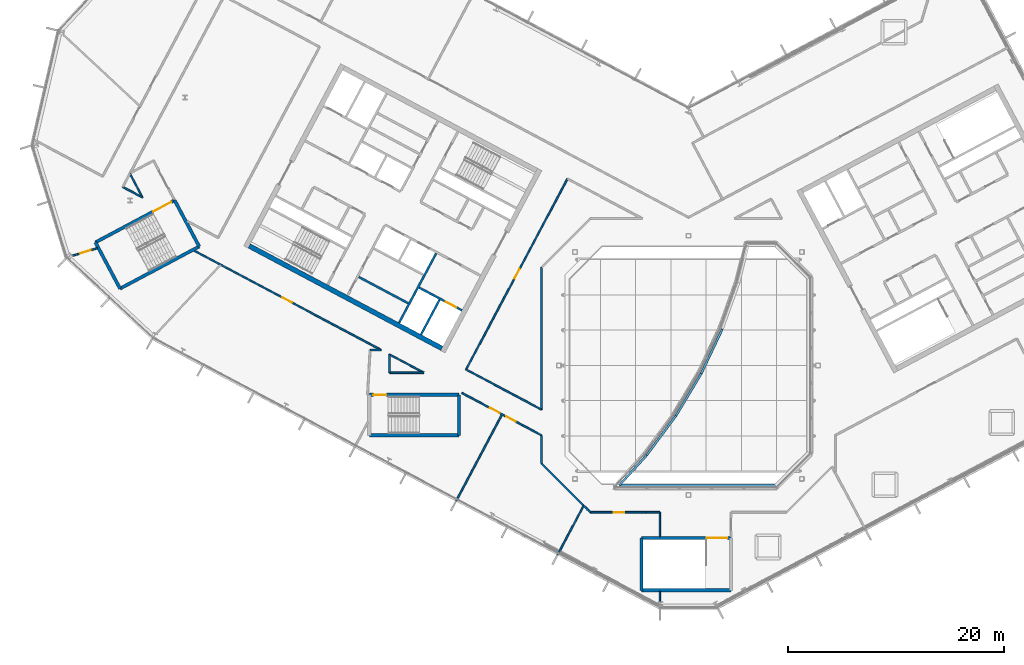
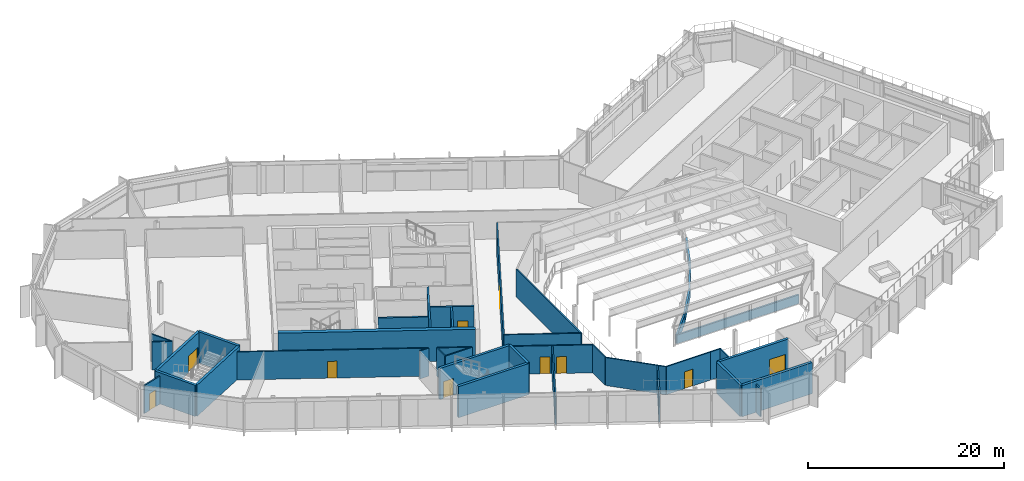
# One storey, part 23 of 35: 41 walls, 10 doors, 10 openings.
"""IFC4 building model written with IfcOpenShell, lengths in metres."""

from ifc_helpers import new_model, si_unit, direction, frame, frame_2d, origin, place, context, subcontext, project, spatial, rectangle, extrude, material, layer, layer_set, type_object, element, fill, save


model = new_model("IFC4")

# Units and contexts
model_context = context("Model", 3, precision=1e-05, world=origin(), true_north=direction((0.0, 1.0)))
body_context = subcontext(model_context, "Body", "Model", "MODEL_VIEW")
ifc_project = project(units=[si_unit("LENGTHUNIT", "METRE"), si_unit("AREAUNIT", "SQUARE_METRE"), si_unit("VOLUMEUNIT", "CUBIC_METRE"), si_unit("PLANEANGLEUNIT", "RADIAN"), si_unit("MASSUNIT", "GRAM", prefix="KILO")], contexts=[model_context])

# Site, building, storey
site_placement = place(None, origin())
site = spatial("IfcSite", under=ifc_project, at=site_placement, CompositionType="ELEMENT")
building_placement = place(site_placement, origin())
building = spatial("IfcBuilding", under=site, at=building_placement, Name="Cormorant Relay Tower", CompositionType="ELEMENT")
storey_placement = place(building_placement, frame((0.0, 0.0, 324.300048828125)))
storey = spatial("IfcBuildingStorey", under=building, at=storey_placement, Name="L74", CompositionType="ELEMENT", Elevation=324.300048828125)

# Walls
ifc_material_1 = material(Name="Concrete 40 MPa", Category="concrete")
ifc_layer_1 = layer(ifc_material_1, 0.199951171875)
ifc_layer_set_1 = layer_set([ifc_layer_1], Name="Core internal wall 200")
wall_type_1 = type_object("IfcWallType", Name="Core internal wall 200", PredefinedType="SOLIDWALL", material=ifc_layer_set_1)
wall_1_placement = place(storey_placement, frame((-25.936767578125, 5.74951171875, 0.0), z_axis=(0.0, 0.0, 1.0), x_axis=(-0.882934506056, 0.469496174655, 0.0)))
element("IfcWall", 1, at=wall_1_placement, inside=storey, type_object=wall_type_1, Name="L74 core A shaft and room wall", PredefinedType="SOLIDWALL", context=body_context, shape_type="SweptSolid", body=[
    extrude(rectangle(XDim=5.199951171875, YDim=0.199951171875, at=frame_2d((2.60009765625, 0.0))), origin(), (0.0, 0.0, 1.0), 3.89990234375),
])
ifc_material_2 = material(Name="Concrete 50 MPa", Category="concrete")
ifc_layer_2 = layer(ifc_material_2, 0.199951171875)
ifc_layer_set_2 = layer_set([ifc_layer_2], Name="Core shaft wall 200")
wall_type_2 = type_object("IfcWallType", Name="Core shaft wall 200", PredefinedType="SHEAR", material=ifc_layer_set_2)
wall_2_placement = place(storey_placement, frame((-23.04296875, 6.07958984375, 0.0), z_axis=(0.0, 0.0, 1.0), x_axis=(-0.469494272526, -0.882935517501, 0.0)))
element("IfcWall", 2, at=wall_2_placement, inside=storey, type_object=wall_type_2, Name="L74 core A shaft wall", PredefinedType="SHEAR", context=body_context, shape_type="SweptSolid", body=[
    extrude(rectangle(XDim=3.64990234375, YDim=0.199951171875, at=frame_2d((1.824951171875, 0.0))), origin(), (0.0, 0.0, 1.0), 3.89990234375),
])
wall_3_placement = place(storey_placement, frame((-23.360107421875, 10.38232421875, 0.0), z_axis=(0.0, 0.0, 1.0), x_axis=(-0.469480409012, -0.88294288918, 0.0)))
element("IfcWall", 3, at=wall_3_placement, inside=storey, type_object=wall_type_2, Name="L74 core A shaft wall", PredefinedType="SHEAR", context=body_context, shape_type="SweptSolid", body=[
    extrude(rectangle(XDim=7.300048828125, YDim=0.199951171875, at=frame_2d((3.64990234375, 0.0))), origin(), (0.0, 0.0, 1.0), 3.89990234375),
])

# Wall, opening, door
wall_4_placement = place(storey_placement, frame((-20.96533203125, 5.088134765625, 0.0), z_axis=(0.0, 0.0, 1.0), x_axis=(-0.882925986334, 0.469512196493, 0.0)))
wall_4 = element("IfcWall", 4, at=wall_4_placement, inside=storey, type_object=wall_type_2, Name="L74 core A shaft wall", PredefinedType="SHEAR", context=body_context, shape_type="SweptSolid", body=[
    extrude(rectangle(XDim=4.5, YDim=0.199951171875, at=frame_2d((2.25, 0.0))), origin(), (0.0, 0.0, 1.0), 3.89990234375),
])
opening_1_placement = place(wall_4_placement, frame((0.60009765625, 0.0, 0.0)))
opening_1 = element("IfcOpeningElement", 5, at=opening_1_placement, cuts=wall_4, Name="Opening LD1-063", PredefinedType="OPENING", context=body_context, shape_type="SweptSolid", body=[
    extrude(rectangle(XDim=1.10009765625, YDim=2.10009765625, at=frame_2d((0.550048828125, 1.050048828125))), frame((0.0, 0.10986328125, 0.0), z_axis=(0.0, -1.0, 0.0), x_axis=(1.0, 0.0, 0.0)), (0.0, 0.0, 1.0), 0.219970703125),
])
ifc_material_3 = material(Name="Stainless steel 316", Category="steel")
door_type_1 = type_object("IfcDoorType", Name="Lift landing door 1100x2100", OperationType="DOUBLE_DOOR_SLIDING", PredefinedType="DOOR", material=ifc_material_3)
door_1_placement = place(opening_1_placement, origin())
door_1 = element("IfcDoor", 6, at=door_1_placement, inside=storey, type_object=door_type_1, Name="FF1 landing door", OperationType="DOUBLE_DOOR_SLIDING", OverallHeight=2.10009765625, OverallWidth=1.10009765625, PredefinedType="DOOR", context=body_context, shape_type="SweptSolid", body=[
    extrude(rectangle(XDim=1.10009765625, YDim=2.10009765625, at=frame_2d((0.550048828125, 1.050048828125))), frame((0.0, 0.02490234375, 0.0), z_axis=(0.0, -1.0, 0.0), x_axis=(1.0, 0.0, 0.0)), (0.0, 0.0, 1.0), 0.050048828125),
])
fill(opening_1, door_1)

# Wall
ifc_material_4 = material(Name="Concrete 50 MPa", Category="concrete")
ifc_layer_3 = layer(ifc_material_4, 0.449951171875)
ifc_layer_set_3 = layer_set([ifc_layer_3], Name="Core wall 450")
wall_type_3 = type_object("IfcWallType", Name="Core wall 450", PredefinedType="SHEAR", material=ifc_layer_set_3)
wall_5_placement = place(storey_placement, frame((-22.83154296875, 1.578369140625, 0.0), z_axis=(0.0, 0.0, 1.0), x_axis=(-0.88294509198, 0.469476266226, 0.0)))
element("IfcWall", 7, at=wall_5_placement, inside=storey, type_object=wall_type_3, Name="L74 core A wall", PredefinedType="SHEAR", context=body_context, shape_type="SweptSolid", body=[
    extrude(rectangle(XDim=20.199951171875, YDim=0.449951171875, at=frame_2d((10.10009765625, 0.0))), origin(), (0.0, 0.0, 1.0), 3.89990234375),
])

# Wall, opening, door
ifc_material_5 = material(Name="Gypsum board fire partition")
ifc_layer_4 = layer(ifc_material_5, 0.14990234375)
ifc_layer_set_4 = layer_set([ifc_layer_4], Name="Corridor partition 150 EI 60")
wall_type_4 = type_object("IfcWallType", Name="Corridor partition 150 EI 60", PredefinedType="PARTITIONING", material=ifc_layer_set_4)
wall_6_placement = place(storey_placement, frame((-54.73193359375, 10.85693359375, 0.0), z_axis=(0.0, 0.0, 1.0), x_axis=(-0.956231519395, -0.292611143525, 0.0)))
wall_6 = element("IfcWall", 8, at=wall_6_placement, inside=storey, type_object=wall_type_4, Name="wall/L74/part/005", PredefinedType="PARTITIONING", context=body_context, shape_type="SweptSolid", body=[
    extrude(rectangle(XDim=2.385498046875, YDim=0.14990234375, at=frame_2d((1.19287109375, 0.0))), origin(), (0.0, 0.0, 1.0), 3.5),
])
opening_2_placement = place(wall_6_placement, frame((0.64990234375, 0.0, 0.0)))
opening_2 = element("IfcOpeningElement", 9, at=opening_2_placement, cuts=wall_6, Name="Opening DS-286", PredefinedType="OPENING", context=body_context, shape_type="SweptSolid", body=[
    extrude(rectangle(XDim=1.0, YDim=2.10009765625, at=frame_2d((0.5, 1.050048828125))), frame((0.0, 0.0849609375, 0.0), z_axis=(0.0, -1.0, 0.0), x_axis=(1.0, 0.0, 0.0)), (0.0, 0.0, 1.0), 0.169921875),
])
ifc_material_6 = material(Name="Timber door leaf", Category="wood")
door_type_2 = type_object("IfcDoorType", Name="Suite door 1000x2100", OperationType="SINGLE_SWING_LEFT", PredefinedType="DOOR", material=ifc_material_6)
door_2_placement = place(opening_2_placement, origin())
door_2 = element("IfcDoor", 10, at=door_2_placement, inside=storey, type_object=door_type_2, Name="door/L74/007", OperationType="SINGLE_SWING_LEFT", OverallHeight=2.10009765625, OverallWidth=1.0, PredefinedType="DOOR", context=body_context, shape_type="SweptSolid", body=[
    extrude(rectangle(XDim=1.0, YDim=2.10009765625, at=frame_2d((0.5, 1.050048828125))), frame((0.0, 0.02490234375, 0.0), z_axis=(0.0, -1.0, 0.0), x_axis=(1.0, 0.0, 0.0)), (0.0, 0.0, 1.0), 0.050048828125),
])
fill(opening_2, door_2)

wall_7_placement = place(storey_placement, frame((-28.4541015625, 1.425048828125, 0.0), z_axis=(0.0, 0.0, 1.0), x_axis=(-0.882958686675, 0.469450697757, 0.0)))
wall_7 = element("IfcWall", 11, at=wall_7_placement, inside=storey, type_object=wall_type_4, Name="wall/L74/part/015", PredefinedType="PARTITIONING", context=body_context, shape_type="SweptSolid", body=[
    extrude(rectangle(XDim=19.6123046875, YDim=0.14990234375, at=frame_2d((9.80615234375, 0.0))), origin(), (0.0, 0.0, 1.0), 3.5),
])
opening_3_placement = place(wall_7_placement, frame((9.35009765625, 0.0, 0.0)))
opening_3 = element("IfcOpeningElement", 12, at=opening_3_placement, cuts=wall_7, Name="Opening DS-287", PredefinedType="OPENING", context=body_context, shape_type="SweptSolid", body=[
    extrude(rectangle(XDim=1.0, YDim=2.10009765625, at=frame_2d((0.5, 1.050048828125))), frame((0.0, 0.0849609375, 0.0), z_axis=(0.0, -1.0, 0.0), x_axis=(1.0, 0.0, 0.0)), (0.0, 0.0, 1.0), 0.169921875),
])
door_3_placement = place(opening_3_placement, origin())
door_3 = element("IfcDoor", 13, at=door_3_placement, inside=storey, type_object=door_type_2, Name="door/L74/008", OperationType="SINGLE_SWING_LEFT", OverallHeight=2.10009765625, OverallWidth=1.0, PredefinedType="DOOR", context=body_context, shape_type="SweptSolid", body=[
    extrude(rectangle(XDim=1.0, YDim=2.10009765625, at=frame_2d((0.5, 1.050048828125))), frame((0.0, 0.02490234375, 0.0), z_axis=(0.0, -1.0, 0.0), x_axis=(1.0, 0.0, 0.0)), (0.0, 0.0, 1.0), 0.050048828125),
])
fill(opening_3, door_3)

# Wall
wall_8_placement = place(storey_placement, frame((-28.455078125, 1.425048828125, 0.0), z_axis=(0.0, 0.0, 1.0), x_axis=(-0.999999541697, -0.000957395444, 0.0)))
element("IfcWall", 14, at=wall_8_placement, inside=storey, type_object=wall_type_4, Name="wall/L74/part/021", PredefinedType="PARTITIONING", context=body_context, shape_type="SweptSolid", body=[
    extrude(rectangle(XDim=1.02001953125, YDim=0.14990234375, at=frame_2d((0.510009765625, 0.0))), origin(), (0.0, 0.0, 1.0), 3.5),
])

# Wall, openings, doors
wall_9_placement = place(storey_placement, frame((-13.60009765625, -6.472900390625, 0.0), z_axis=(0.0, 0.0, 1.0), x_axis=(-0.882934197132, 0.469496755618, 0.0)))
wall_9 = element("IfcWall", 15, at=wall_9_placement, inside=storey, type_object=wall_type_4, Name="wall/L74/part/023", PredefinedType="PARTITIONING", context=body_context, shape_type="SweptSolid", body=[
    extrude(rectangle(XDim=8.361572265625, YDim=0.14990234375, at=frame_2d((4.1806640625, 0.0))), origin(), (0.0, 0.0, 1.0), 3.5),
])
opening_4_placement = place(wall_9_placement, frame((4.39990234375, 0.0, 0.0)))
opening_4 = element("IfcOpeningElement", 16, at=opening_4_placement, cuts=wall_9, Name="Opening DS-288", PredefinedType="OPENING", context=body_context, shape_type="SweptSolid", body=[
    extrude(rectangle(XDim=1.0, YDim=2.10009765625, at=frame_2d((0.5, 1.050048828125))), frame((0.0, 0.0849609375, 0.0), z_axis=(0.0, -1.0, 0.0), x_axis=(1.0, 0.0, 0.0)), (0.0, 0.0, 1.0), 0.169921875),
])
opening_5_placement = place(wall_9_placement, frame((2.698974609375, 0.0, 0.0)))
opening_5 = element("IfcOpeningElement", 17, at=opening_5_placement, cuts=wall_9, Name="Opening DS-289", PredefinedType="OPENING", context=body_context, shape_type="SweptSolid", body=[
    extrude(rectangle(XDim=1.0, YDim=2.10009765625, at=frame_2d((0.5, 1.050048828125))), frame((0.0, 0.0849609375, 0.0), z_axis=(0.0, -1.0, 0.0), x_axis=(1.0, 0.0, 0.0)), (0.0, 0.0, 1.0), 0.169921875),
])
door_4_placement = place(opening_4_placement, origin())
door_4 = element("IfcDoor", 18, at=door_4_placement, inside=storey, type_object=door_type_2, Name="door/L74/009", OperationType="SINGLE_SWING_LEFT", OverallHeight=2.10009765625, OverallWidth=1.0, PredefinedType="DOOR", context=body_context, shape_type="SweptSolid", body=[
    extrude(rectangle(XDim=1.0, YDim=2.10009765625, at=frame_2d((0.5, 1.050048828125))), frame((0.0, 0.02490234375, 0.0), z_axis=(0.0, -1.0, 0.0), x_axis=(1.0, 0.0, 0.0)), (0.0, 0.0, 1.0), 0.050048828125),
])
fill(opening_4, door_4)
door_5_placement = place(opening_5_placement, origin())
door_5 = element("IfcDoor", 19, at=door_5_placement, inside=storey, type_object=door_type_2, Name="door/L74/010", OperationType="SINGLE_SWING_RIGHT", OverallHeight=2.10009765625, OverallWidth=1.0, PredefinedType="DOOR", context=body_context, shape_type="SweptSolid", body=[
    extrude(rectangle(XDim=1.0, YDim=2.10009765625, at=frame_2d((0.5, 1.050048828125))), frame((0.0, 0.02490234375, 0.0), z_axis=(0.0, -1.0, 0.0), x_axis=(1.0, 0.0, 0.0)), (0.0, 0.0, 1.0), 0.050048828125),
])
fill(opening_5, door_5)

# Walls
wall_10_placement = place(storey_placement, frame((-9.660888671875, -13.01611328125, 0.0), z_axis=(0.0, 0.0, 1.0), x_axis=(-0.707106781187, 0.707106781187, 0.0)))
element("IfcWall", 20, at=wall_10_placement, inside=storey, type_object=wall_type_4, Name="wall/L74/part/025", PredefinedType="PARTITIONING", context=body_context, shape_type="SweptSolid", body=[
    extrude(rectangle(XDim=5.57080078125, YDim=0.14990234375, at=frame_2d((2.785400390625, 0.0))), origin(), (0.0, 0.0, 1.0), 3.5),
])
wall_11_placement = place(storey_placement, frame((-13.60009765625, -9.076904296875, 0.0), z_axis=(0.0, 0.0, 1.0), x_axis=(0.0, 1.0, 0.0)))
element("IfcWall", 21, at=wall_11_placement, inside=storey, type_object=wall_type_4, Name="wall/L74/part/026", PredefinedType="PARTITIONING", context=body_context, shape_type="SweptSolid", body=[
    extrude(rectangle(XDim=2.5859375, YDim=0.14990234375, at=frame_2d((1.29296875, 0.0))), origin(), (0.0, 0.0, 1.0), 3.5),
])

# Wall, opening, door
wall_12_placement = place(storey_placement, frame((-3.887939453125, -13.60009765625, 0.0), z_axis=(0.0, 0.0, 1.0), x_axis=(-1.0, 0.0, 0.0)))
wall_12 = element("IfcWall", 22, at=wall_12_placement, inside=storey, type_object=wall_type_4, Name="wall/L74/part/028", PredefinedType="PARTITIONING", context=body_context, shape_type="SweptSolid", body=[
    extrude(rectangle(XDim=5.18896484375, YDim=0.14990234375, at=frame_2d((2.594482421875, 0.0))), origin(), (0.0, 0.0, 1.0), 3.5),
])
opening_6_placement = place(wall_12_placement, frame((2.050048828125, 0.0, 0.0)))
opening_6 = element("IfcOpeningElement", 23, at=opening_6_placement, cuts=wall_12, Name="Opening DS-290", PredefinedType="OPENING", context=body_context, shape_type="SweptSolid", body=[
    extrude(rectangle(XDim=1.0, YDim=2.10009765625, at=frame_2d((0.5, 1.050048828125))), frame((0.0, 0.0849609375, 0.0), z_axis=(0.0, -1.0, 0.0), x_axis=(1.0, 0.0, 0.0)), (0.0, 0.0, 1.0), 0.169921875),
])
door_6_placement = place(opening_6_placement, origin())
door_6 = element("IfcDoor", 24, at=door_6_placement, inside=storey, type_object=door_type_2, Name="door/L74/011", OperationType="SINGLE_SWING_LEFT", OverallHeight=2.10009765625, OverallWidth=1.0, PredefinedType="DOOR", context=body_context, shape_type="SweptSolid", body=[
    extrude(rectangle(XDim=1.0, YDim=2.10009765625, at=frame_2d((0.5, 1.050048828125))), frame((0.0, 0.02490234375, 0.0), z_axis=(0.0, -1.0, 0.0), x_axis=(1.0, 0.0, 0.0)), (0.0, 0.0, 1.0), 0.050048828125),
])
fill(opening_6, door_6)

# Walls
wall_13_placement = place(storey_placement, frame((-9.076904296875, -13.60009765625, 0.0), z_axis=(0.0, 0.0, 1.0), x_axis=(-0.707106781187, 0.707106781187, 0.0)))
element("IfcWall", 25, at=wall_13_placement, inside=storey, type_object=wall_type_4, Name="wall/L74/part/029", PredefinedType="PARTITIONING", context=body_context, shape_type="SweptSolid", body=[
    extrude(rectangle(XDim=0.871337890625, YDim=0.14990234375, at=frame_2d((0.435546875, 0.0))), origin(), (0.0, 0.0, 1.0), 3.5),
])
wall_14_placement = place(storey_placement, frame((-2.64892578125, -15.875, 0.0), z_axis=(0.0, 0.0, 1.0), x_axis=(0.0, 1.0, 0.0)))
element("IfcWall", 26, at=wall_14_placement, inside=storey, type_object=wall_type_4, Name="wall/L74/part/030", PredefinedType="PARTITIONING", context=body_context, shape_type="SweptSolid", body=[
    extrude(rectangle(XDim=2.27490234375, YDim=0.14990234375, at=frame_2d((1.137451171875, 0.0))), origin(), (0.0, 0.0, 1.0), 3.5),
])
wall_15_placement = place(storey_placement, frame((-2.64892578125, -13.60009765625, 0.0), z_axis=(0.0, 0.0, 1.0), x_axis=(-1.0, 0.0, 0.0)))
element("IfcWall", 27, at=wall_15_placement, inside=storey, type_object=wall_type_4, Name="wall/L74/part/031", PredefinedType="PARTITIONING", context=body_context, shape_type="SweptSolid", body=[
    extrude(rectangle(XDim=1.239013671875, YDim=0.14990234375, at=frame_2d((0.61962890625, 0.0))), origin(), (0.0, 0.0, 1.0), 3.5),
])
wall_16_placement = place(storey_placement, frame((-52.3740234375, 16.52197265625, 0.0), z_axis=(0.0, 0.0, 1.0), x_axis=(0.882981472085, -0.469407839682, 0.0)))
element("IfcWall", 28, at=wall_16_placement, inside=storey, type_object=wall_type_4, Name="wall/L74/part/045", PredefinedType="PARTITIONING", context=body_context, shape_type="SweptSolid", body=[
    extrude(rectangle(XDim=2.072509765625, YDim=0.14990234375, at=frame_2d((1.0361328125, 0.0))), origin(), (0.0, 0.0, 1.0), 3.5),
])
wall_17_placement = place(storey_placement, frame((-50.5439453125, 15.549072265625, 0.0), z_axis=(0.0, 0.0, 1.0), x_axis=(-0.469183782948, 0.883100547967, 0.0)))
element("IfcWall", 29, at=wall_17_placement, inside=storey, type_object=wall_type_4, Name="wall/L74/part/046", PredefinedType="PARTITIONING", context=body_context, shape_type="SweptSolid", body=[
    extrude(rectangle(XDim=2.500244140625, YDim=0.14990234375, at=frame_2d((1.25, 0.0))), origin(), (0.0, 0.0, 1.0), 3.5),
])
wall_18_placement = place(storey_placement, frame((-27.675048828125, 1.010986328125, 0.0), z_axis=(0.0, 0.0, 1.0), x_axis=(0.0, -1.0, 0.0)))
element("IfcWall", 30, at=wall_18_placement, inside=storey, type_object=wall_type_4, Name="wall/L74/part/048", PredefinedType="PARTITIONING", context=body_context, shape_type="SweptSolid", body=[
    extrude(rectangle(XDim=1.68603515625, YDim=0.14990234375, at=frame_2d((0.843017578125, 0.0))), origin(), (0.0, 0.0, 1.0), 3.5),
])
wall_19_placement = place(storey_placement, frame((-27.675048828125, -0.675048828125, 0.0), z_axis=(0.0, 0.0, 1.0), x_axis=(1.0, 0.0, 0.0)))
element("IfcWall", 31, at=wall_19_placement, inside=storey, type_object=wall_type_4, Name="wall/L74/part/049", PredefinedType="PARTITIONING", context=body_context, shape_type="SweptSolid", body=[
    extrude(rectangle(XDim=3.171142578125, YDim=0.14990234375, at=frame_2d((1.58544921875, 0.0))), origin(), (0.0, 0.0, 1.0), 3.5),
])
wall_20_placement = place(storey_placement, frame((-24.50390625, -0.675048828125, 0.0), z_axis=(0.0, 0.0, 1.0), x_axis=(-0.882958125757, 0.46945175275, 0.0)))
element("IfcWall", 32, at=wall_20_placement, inside=storey, type_object=wall_type_4, Name="wall/L74/part/050", PredefinedType="PARTITIONING", context=body_context, shape_type="SweptSolid", body=[
    extrude(rectangle(XDim=3.591552734375, YDim=0.14990234375, at=frame_2d((1.7958984375, 0.0))), origin(), (0.0, 0.0, 1.0), 3.5),
])

# Wall, opening, door
wall_21_placement = place(storey_placement, frame((-20.587890625, -0.37890625, 0.0), z_axis=(0.0, 0.0, 1.0), x_axis=(0.469489882812, 0.882937851685, 0.0)))
wall_21 = element("IfcWall", 33, at=wall_21_placement, inside=storey, type_object=wall_type_4, Name="wall/L74/part/051", PredefinedType="PARTITIONING", context=body_context, shape_type="SweptSolid", body=[
    extrude(rectangle(XDim=20.000244140625, YDim=0.14990234375, at=frame_2d((10.0, 0.0))), origin(), (0.0, 0.0, 1.0), 3.5),
])
opening_7_placement = place(wall_21_placement, frame((9.550048828125, 0.0, 0.0)))
opening_7 = element("IfcOpeningElement", 34, at=opening_7_placement, cuts=wall_21, Name="Opening DS-284", PredefinedType="OPENING", context=body_context, shape_type="SweptSolid", body=[
    extrude(rectangle(XDim=1.0, YDim=2.10009765625, at=frame_2d((0.5, 1.050048828125))), frame((0.0, 0.0849609375, 0.0), z_axis=(0.0, -1.0, 0.0), x_axis=(1.0, 0.0, 0.0)), (0.0, 0.0, 1.0), 0.169921875),
])
door_7_placement = place(opening_7_placement, frame((1.0, 0.0, 0.0), z_axis=(0.0, 0.0, 1.0), x_axis=(-1.0, 0.0, 0.0)))
door_7 = element("IfcDoor", 35, at=door_7_placement, inside=storey, type_object=door_type_2, Name="door/L74/004", OperationType="SINGLE_SWING_LEFT", OverallHeight=2.10009765625, OverallWidth=1.0, PredefinedType="DOOR", context=body_context, shape_type="SweptSolid", body=[
    extrude(rectangle(XDim=1.0, YDim=2.10009765625, at=frame_2d((0.5, 1.050048828125))), frame((0.0, 0.02490234375, 0.0), z_axis=(0.0, -1.0, 0.0), x_axis=(1.0, 0.0, 0.0)), (0.0, 0.0, 1.0), 0.050048828125),
])
fill(opening_7, door_7)

# Walls
wall_22_placement = place(storey_placement, frame((-13.60009765625, 9.076904296875, 0.0), z_axis=(0.0, 0.0, 1.0), x_axis=(0.0, -1.0, 0.0)))
element("IfcWall", 36, at=wall_22_placement, inside=storey, type_object=wall_type_4, Name="wall/L74/part/055", PredefinedType="PARTITIONING", context=body_context, shape_type="SweptSolid", body=[
    extrude(rectangle(XDim=13.1708984375, YDim=0.14990234375, at=frame_2d((6.58544921875, 0.0))), origin(), (0.0, 0.0, 1.0), 3.5),
])
wall_23_placement = place(storey_placement, frame((-13.60009765625, -4.093994140625, 0.0), z_axis=(0.0, 0.0, 1.0), x_axis=(-0.882967890474, 0.469433386533, 0.0)))
element("IfcWall", 37, at=wall_23_placement, inside=storey, type_object=wall_type_4, Name="wall/L74/part/056", PredefinedType="PARTITIONING", context=body_context, shape_type="SweptSolid", body=[
    extrude(rectangle(XDim=7.9140625, YDim=0.14990234375, at=frame_2d((3.95703125, 0.0))), origin(), (0.0, 0.0, 1.0), 3.5),
])
ifc_material_7 = material(Name="Concrete 50 MPa", Category="concrete")
ifc_layer_5 = layer(ifc_material_7, 0.300048828125)
ifc_layer_set_5 = layer_set([ifc_layer_5], Name="Remote stair wall 300")
wall_type_5 = type_object("IfcWallType", Name="Remote stair wall 300", PredefinedType="SHEAR", material=ifc_layer_set_5)
wall_24_placement = place(storey_placement, frame((3.949951171875, -20.824951171875, 0.0), z_axis=(0.0, 0.0, 1.0), x_axis=(-1.0, 0.0, 0.0)))
element("IfcWall", 38, at=wall_24_placement, inside=storey, type_object=wall_type_5, Name="L74 exit stair RK1 wall", PredefinedType="SHEAR", context=body_context, shape_type="SweptSolid", body=[
    extrude(rectangle(XDim=8.300048828125, YDim=0.300048828125, at=frame_2d((4.14990234375, 0.0))), origin(), (0.0, 0.0, 1.0), 3.89990234375),
])
wall_25_placement = place(storey_placement, frame((-4.35009765625, -20.824951171875, 0.0), z_axis=(0.0, 0.0, 1.0), x_axis=(0.0, 1.0, 0.0)))
element("IfcWall", 39, at=wall_25_placement, inside=storey, type_object=wall_type_5, Name="L74 exit stair RK1 wall", PredefinedType="SHEAR", context=body_context, shape_type="SweptSolid", body=[
    extrude(rectangle(XDim=4.849853515625, YDim=0.300048828125, at=frame_2d((2.4248046875, 0.0))), origin(), (0.0, 0.0, 1.0), 3.89990234375),
])

# Wall, opening, door
wall_26_placement = place(storey_placement, frame((-4.35009765625, -15.97509765625, 0.0), z_axis=(0.0, 0.0, 1.0), x_axis=(1.0, 0.0, 0.0)))
wall_26 = element("IfcWall", 40, at=wall_26_placement, inside=storey, type_object=wall_type_5, Name="L74 exit stair RK1 wall", PredefinedType="SHEAR", context=body_context, shape_type="SweptSolid", body=[
    extrude(rectangle(XDim=8.300048828125, YDim=0.300048828125, at=frame_2d((4.14990234375, 0.0))), origin(), (0.0, 0.0, 1.0), 3.89990234375),
])
opening_8_placement = place(wall_26_placement, frame((6.050048828125, 0.0, 0.0)))
opening_8 = element("IfcOpeningElement", 41, at=opening_8_placement, cuts=wall_26, Name="Opening CDE-014", PredefinedType="OPENING", context=body_context, shape_type="SweptSolid", body=[
    extrude(rectangle(XDim=1.89990234375, YDim=2.10009765625, at=frame_2d((0.949951171875, 1.050048828125))), frame((0.0, 0.159912109375, 0.0), z_axis=(0.0, -1.0, 0.0), x_axis=(1.0, 0.0, 0.0)), (0.0, 0.0, 1.0), 0.320068359375),
])
ifc_material_8 = material(Name="Steel fire door", Category="steel")
door_type_3 = type_object("IfcDoorType", Name="Remote stair door 1900x2100", OperationType="DOUBLE_DOOR_SINGLE_SWING", PredefinedType="DOOR", material=ifc_material_8)
door_8_placement = place(opening_8_placement, frame((1.89990234375, 0.0, 0.0), z_axis=(0.0, 0.0, 1.0), x_axis=(-1.0, 0.0, 0.0)))
door_8 = element("IfcDoor", 42, at=door_8_placement, inside=storey, type_object=door_type_3, Name="Exit stair RK1 door", OperationType="DOUBLE_DOOR_SINGLE_SWING", OverallHeight=2.10009765625, OverallWidth=1.89990234375, PredefinedType="DOOR", context=body_context, shape_type="SweptSolid", body=[
    extrude(rectangle(XDim=1.89990234375, YDim=2.10009765625, at=frame_2d((0.949951171875, 1.050048828125))), frame((0.0, 0.02490234375, 0.0), z_axis=(0.0, -1.0, 0.0), x_axis=(1.0, 0.0, 0.0)), (0.0, 0.0, 1.0), 0.050048828125),
])
fill(opening_8, door_8)

# Walls
wall_27_placement = place(storey_placement, frame((-47.57421875, 15.28955078125, 0.0), z_axis=(0.0, 0.0, 1.0), x_axis=(0.469443498566, -0.882962514297, 0.0)))
element("IfcWall", 43, at=wall_27_placement, inside=storey, type_object=wall_type_5, Name="L74 exit stair RP1 wall", PredefinedType="SHEAR", context=body_context, shape_type="SweptSolid", body=[
    extrude(rectangle(XDim=4.85009765625, YDim=0.300048828125, at=frame_2d((2.425048828125, 0.0))), origin(), (0.0, 0.0, 1.0), 3.89990234375),
])
wall_28_placement = place(storey_placement, frame((-45.29736328125, 11.007080078125, 0.0), z_axis=(0.0, 0.0, 1.0), x_axis=(-0.882951519127, -0.469464178475, 0.0)))
element("IfcWall", 44, at=wall_28_placement, inside=storey, type_object=wall_type_5, Name="L74 exit stair RP1 wall", PredefinedType="SHEAR", context=body_context, shape_type="SweptSolid", body=[
    extrude(rectangle(XDim=8.2998046875, YDim=0.300048828125, at=frame_2d((4.14990234375, 0.0))), origin(), (0.0, 0.0, 1.0), 3.89990234375),
])
wall_29_placement = place(storey_placement, frame((-52.625732421875, 7.110595703125, 0.0), z_axis=(0.0, 0.0, 1.0), x_axis=(-0.469464364128, 0.882951420416, 0.0)))
element("IfcWall", 45, at=wall_29_placement, inside=storey, type_object=wall_type_5, Name="L74 exit stair RP1 wall", PredefinedType="SHEAR", context=body_context, shape_type="SweptSolid", body=[
    extrude(rectangle(XDim=4.849853515625, YDim=0.300048828125, at=frame_2d((2.4248046875, 0.0))), origin(), (0.0, 0.0, 1.0), 3.89990234375),
])

# Wall, opening, door
wall_30_placement = place(storey_placement, frame((-54.902587890625, 11.392822265625, 0.0), z_axis=(0.0, 0.0, 1.0), x_axis=(0.882939326045, 0.469487110071, 0.0)))
wall_30 = element("IfcWall", 46, at=wall_30_placement, inside=storey, type_object=wall_type_5, Name="L74 exit stair RP1 wall", PredefinedType="SHEAR", context=body_context, shape_type="SweptSolid", body=[
    extrude(rectangle(XDim=8.300048828125, YDim=0.300048828125, at=frame_2d((4.14990234375, 0.0))), origin(), (0.0, 0.0, 1.0), 3.89990234375),
])
opening_9_placement = place(wall_30_placement, frame((6.050048828125, 0.0, 0.0)))
opening_9 = element("IfcOpeningElement", 47, at=opening_9_placement, cuts=wall_30, Name="Opening CDE-015", PredefinedType="OPENING", context=body_context, shape_type="SweptSolid", body=[
    extrude(rectangle(XDim=1.89990234375, YDim=2.10009765625, at=frame_2d((0.949951171875, 1.050048828125))), frame((0.0, 0.159912109375, 0.0), z_axis=(0.0, -1.0, 0.0), x_axis=(1.0, 0.0, 0.0)), (0.0, 0.0, 1.0), 0.320068359375),
])
door_9_placement = place(opening_9_placement, frame((1.89990234375, 0.0, 0.0), z_axis=(0.0, 0.0, 1.0), x_axis=(-1.0, 0.0, 0.0)))
door_9 = element("IfcDoor", 48, at=door_9_placement, inside=storey, type_object=door_type_3, Name="Exit stair RP1 door", OperationType="DOUBLE_DOOR_SINGLE_SWING", OverallHeight=2.10009765625, OverallWidth=1.89990234375, PredefinedType="DOOR", context=body_context, shape_type="SweptSolid", body=[
    extrude(rectangle(XDim=1.89990234375, YDim=2.10009765625, at=frame_2d((0.949951171875, 1.050048828125))), frame((0.0, 0.02490234375, 0.0), z_axis=(0.0, -1.0, 0.0), x_axis=(1.0, 0.0, 0.0)), (0.0, 0.0, 1.0), 0.050048828125),
])
fill(opening_9, door_9)

# Walls
wall_31_placement = place(storey_placement, frame((-21.25, -2.72509765625, 0.0), z_axis=(0.0, 0.0, 1.0), x_axis=(0.0, -1.0, 0.0)))
element("IfcWall", 49, at=wall_31_placement, inside=storey, type_object=wall_type_5, Name="L74 exit stair RC1 wall", PredefinedType="SHEAR", context=body_context, shape_type="SweptSolid", body=[
    extrude(rectangle(XDim=3.75, YDim=0.300048828125, at=frame_2d((1.875, 0.0))), origin(), (0.0, 0.0, 1.0), 3.89990234375),
])
wall_32_placement = place(storey_placement, frame((-21.25, -6.47509765625, 0.0), z_axis=(0.0, 0.0, 1.0), x_axis=(-1.0, 0.0, 0.0)))
element("IfcWall", 50, at=wall_32_placement, inside=storey, type_object=wall_type_5, Name="L74 exit stair RC1 wall", PredefinedType="SHEAR", context=body_context, shape_type="SweptSolid", body=[
    extrude(rectangle(XDim=8.300048828125, YDim=0.300048828125, at=frame_2d((4.14990234375, 0.0))), origin(), (0.0, 0.0, 1.0), 3.89990234375),
])

# Wall, opening, door
wall_33_placement = place(storey_placement, frame((-29.550048828125, -2.72509765625, 0.0), z_axis=(0.0, 0.0, 1.0), x_axis=(1.0, 0.0, 0.0)))
wall_33 = element("IfcWall", 51, at=wall_33_placement, inside=storey, type_object=wall_type_5, Name="L74 exit stair RC1 wall", PredefinedType="SHEAR", context=body_context, shape_type="SweptSolid", body=[
    extrude(rectangle(XDim=8.300048828125, YDim=0.300048828125, at=frame_2d((4.14990234375, 0.0))), origin(), (0.0, 0.0, 1.0), 3.89990234375),
])
opening_10_placement = place(wall_33_placement, frame((0.375, 0.0, 0.0)))
opening_10 = element("IfcOpeningElement", 52, at=opening_10_placement, cuts=wall_33, Name="Opening CDB-042", PredefinedType="OPENING", context=body_context, shape_type="SweptSolid", body=[
    extrude(rectangle(XDim=1.199951171875, YDim=2.10009765625, at=frame_2d((0.60009765625, 1.050048828125))), frame((0.0, 0.159912109375, 0.0), z_axis=(0.0, -1.0, 0.0), x_axis=(1.0, 0.0, 0.0)), (0.0, 0.0, 1.0), 0.320068359375),
])
ifc_material_9 = material(Name="Steel fire door", Category="steel")
door_type_4 = type_object("IfcDoorType", Name="Core stair door 1200x2100", OperationType="SINGLE_SWING_LEFT", PredefinedType="DOOR", material=ifc_material_9)
door_10_placement = place(opening_10_placement, frame((1.199951171875, 0.0, 0.0), z_axis=(0.0, 0.0, 1.0), x_axis=(-1.0, 0.0, 0.0)))
door_10 = element("IfcDoor", 53, at=door_10_placement, inside=storey, type_object=door_type_4, Name="Exit stair RC1 door", OperationType="SINGLE_SWING_RIGHT", OverallHeight=2.10009765625, OverallWidth=1.199951171875, PredefinedType="DOOR", context=body_context, shape_type="SweptSolid", body=[
    extrude(rectangle(XDim=1.199951171875, YDim=2.10009765625, at=frame_2d((0.60009765625, 1.050048828125))), frame((0.0, 0.02490234375, 0.0), z_axis=(0.0, -1.0, 0.0), x_axis=(1.0, 0.0, 0.0)), (0.0, 0.0, 1.0), 0.050048828125),
])
fill(opening_10, door_10)

# Walls
ifc_material_10 = material(Name="Concrete 35 MPa", Category="concrete")
ifc_layer_6 = layer(ifc_material_10, 0.199951171875)
ifc_layer_set_6 = layer_set([ifc_layer_6], Name="Rooflight kerb 200")
wall_type_6 = type_object("IfcWallType", Name="Rooflight kerb 200", PredefinedType="STANDARD", material=ifc_layer_set_6)
wall_34_placement = place(storey_placement, frame((8.04150390625, -11.10009765625, 3.89990234375), z_axis=(0.0, 0.0, 1.0), x_axis=(-1.0, 0.0, 0.0)))
element("IfcWall", 54, at=wall_34_placement, inside=storey, type_object=wall_type_6, Name="Rooflight kerb", PredefinedType="STANDARD", context=body_context, shape_type="SweptSolid", body=[
    extrude(rectangle(XDim=14.434814453125, YDim=0.199951171875, at=frame_2d((7.21728515625, 0.0))), origin(), (0.0, 0.0, 1.0), 1.10009765625),
])
wall_35_placement = place(storey_placement, frame((-6.393310546875, -11.10009765625, 3.89990234375), z_axis=(0.0, 0.0, 1.0), x_axis=(0.671536110708, 0.740971829434, 0.0)))
element("IfcWall", 55, at=wall_35_placement, inside=storey, type_object=wall_type_6, Name="Rooflight kerb", PredefinedType="STANDARD", context=body_context, shape_type="SweptSolid", body=[
    extrude(rectangle(XDim=3.765625, YDim=0.199951171875, at=frame_2d((1.8828125, 0.0))), origin(), (0.0, 0.0, 1.0), 1.10009765625),
])
wall_36_placement = place(storey_placement, frame((-3.864501953125, -8.309814453125, 3.89990234375), z_axis=(0.0, 0.0, 1.0), x_axis=(0.595701892523, 0.80320561206, 0.0)))
element("IfcWall", 56, at=wall_36_placement, inside=storey, type_object=wall_type_6, Name="Rooflight kerb", PredefinedType="STANDARD", context=body_context, shape_type="SweptSolid", body=[
    extrude(rectangle(XDim=4.55322265625, YDim=0.199951171875, at=frame_2d((2.276611328125, 0.0))), origin(), (0.0, 0.0, 1.0), 1.10009765625),
])
wall_37_placement = place(storey_placement, frame((-1.152099609375, -4.652587890625, 3.89990234375), z_axis=(0.0, 0.0, 1.0), x_axis=(0.514109363487, 0.857724642514, 0.0)))
element("IfcWall", 57, at=wall_37_placement, inside=storey, type_object=wall_type_6, Name="Rooflight kerb", PredefinedType="STANDARD", context=body_context, shape_type="SweptSolid", body=[
    extrude(rectangle(XDim=4.5537109375, YDim=0.199951171875, at=frame_2d((2.27685546875, 0.0))), origin(), (0.0, 0.0, 1.0), 1.10009765625),
])
wall_38_placement = place(storey_placement, frame((1.18896484375, -0.746826171875, 3.89990234375), z_axis=(0.0, 0.0, 1.0), x_axis=(0.427546938285, 0.903993150175, 0.0)))
element("IfcWall", 58, at=wall_38_placement, inside=storey, type_object=wall_type_6, Name="Rooflight kerb", PredefinedType="STANDARD", context=body_context, shape_type="SweptSolid", body=[
    extrude(rectangle(XDim=4.553466796875, YDim=0.199951171875, at=frame_2d((2.27685546875, 0.0))), origin(), (0.0, 0.0, 1.0), 1.10009765625),
])
ifc_material_11 = material(Name="Gypsum board partition")
ifc_layer_7 = layer(ifc_material_11, 0.14990234375)
ifc_layer_set_7 = layer_set([ifc_layer_7], Name="Tenant partition 150")
wall_type_7 = type_object("IfcWallType", Name="Tenant partition 150", PredefinedType="PARTITIONING", material=ifc_layer_set_7)
wall_39_placement = place(storey_placement, frame((-17.248046875, -4.532958984375, 0.0), z_axis=(0.0, 0.0, 1.0), x_axis=(-0.46943766298, -0.882965616871, 0.0)))
element("IfcWall", 59, at=wall_39_placement, inside=storey, type_object=wall_type_7, Name="wall/L74/part/022", PredefinedType="PARTITIONING", context=body_context, shape_type="SweptSolid", body=[
    extrude(rectangle(XDim=9.10009765625, YDim=0.14990234375, at=frame_2d((4.550048828125, 0.0))), origin(), (0.0, 0.0, 1.0), 3.5),
])
wall_40_placement = place(storey_placement, frame((-9.696044921875, -12.98095703125, 0.0), z_axis=(0.0, 0.0, 1.0), x_axis=(-0.469664493403, -0.882844982789, 0.0)))
element("IfcWall", 60, at=wall_40_placement, inside=storey, type_object=wall_type_7, Name="wall/L74/part/027", PredefinedType="PARTITIONING", context=body_context, shape_type="SweptSolid", body=[
    extrude(rectangle(XDim=5.186767578125, YDim=0.14990234375, at=frame_2d((2.59326171875, 0.0))), origin(), (0.0, 0.0, 1.0), 3.5),
])
wall_41_placement = place(storey_placement, frame((-2.64892578125, -20.925048828125, 0.0), z_axis=(0.0, 0.0, 1.0), x_axis=(0.0, -1.0, 0.0)))
element("IfcWall", 61, at=wall_41_placement, inside=storey, type_object=wall_type_7, Name="wall/L74/part/032", PredefinedType="PARTITIONING", context=body_context, shape_type="SweptSolid", body=[
    extrude(rectangle(XDim=0.966064453125, YDim=0.14990234375, at=frame_2d((0.48291015625, 0.0))), origin(), (0.0, 0.0, 1.0), 3.5),
])

save(model, "model.ifc")
